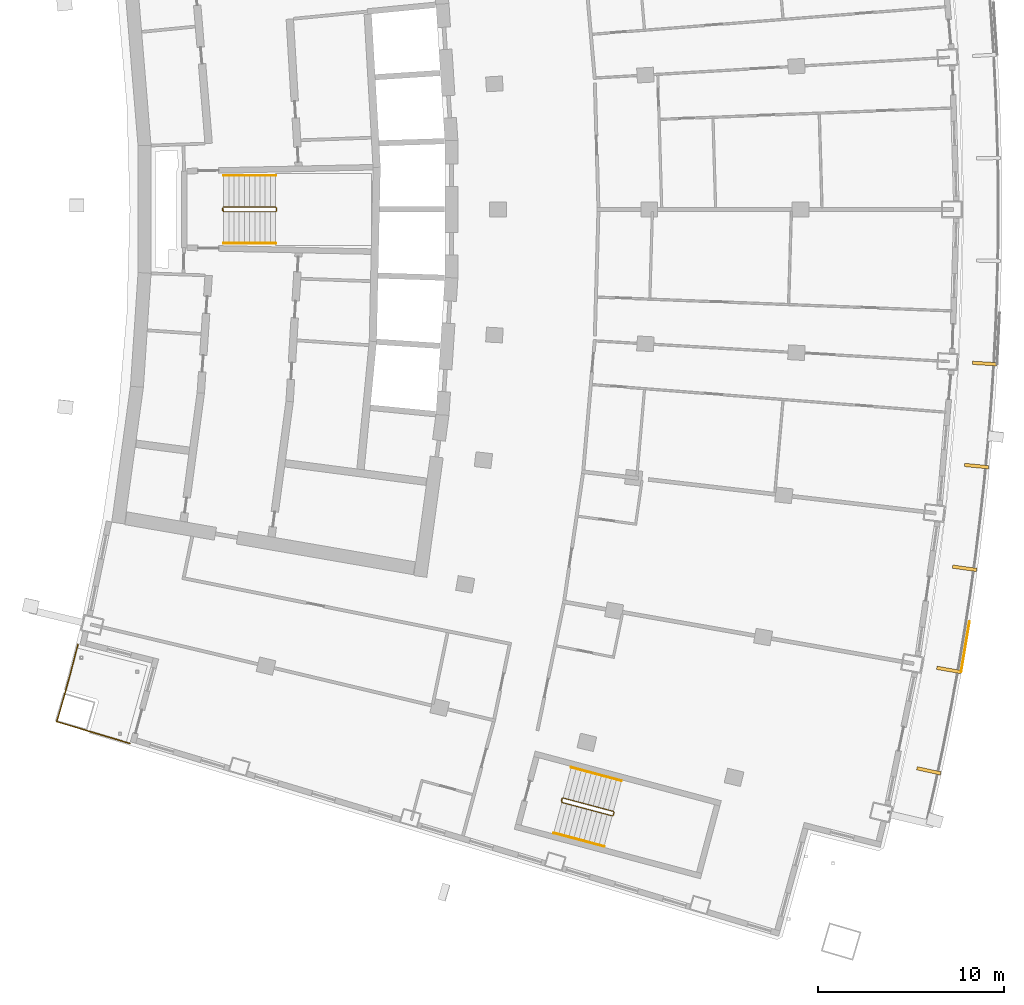
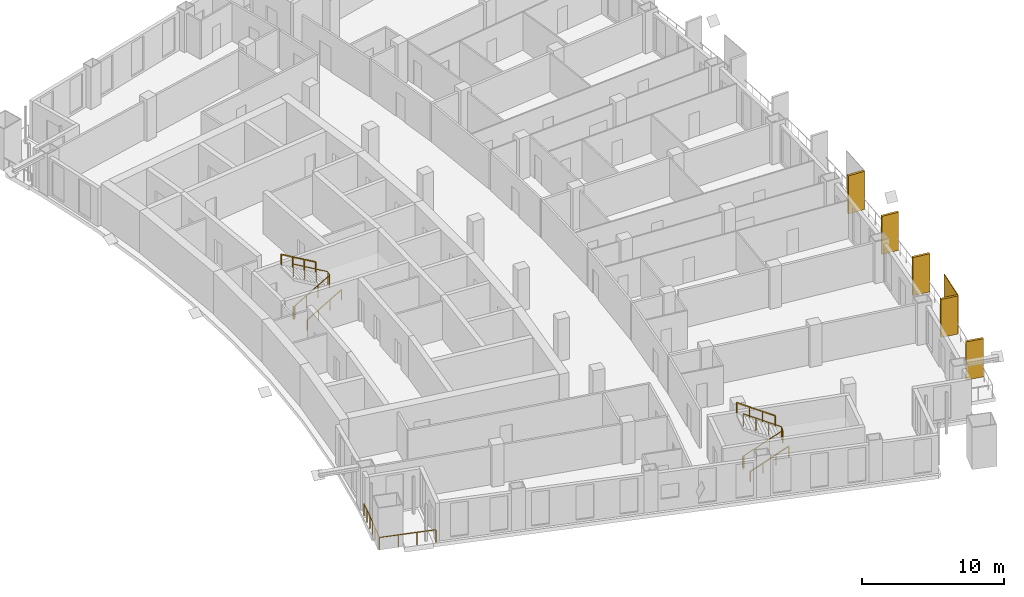
# One storey, part 19 of 21: 7 railings, 6 shading devices.
"""IFC4 building model written with IfcOpenShell, lengths in metres."""

from ifc_helpers import new_model, si_unit, direction, frame, origin, origin_with_axes, origin_2d, place, context, subcontext, project, spatial, rectangle, extrude, material, layer, layer_set, type_object, element, save


model = new_model("IFC4")

# Units and contexts
model_context = context("Model", 3, precision=1e-05, world=origin(), true_north=direction((0.0, 1.0)))
body_context = subcontext(model_context, "Body", "Model", "MODEL_VIEW")
ifc_project = project(units=[si_unit("LENGTHUNIT", "METRE"), si_unit("AREAUNIT", "SQUARE_METRE"), si_unit("VOLUMEUNIT", "CUBIC_METRE"), si_unit("PLANEANGLEUNIT", "RADIAN"), si_unit("MASSUNIT", "GRAM", prefix="KILO")], contexts=[model_context])

# Site, building, storey
site_placement = place(None, origin())
site = spatial("IfcSite", under=ifc_project, at=site_placement, CompositionType="ELEMENT")
building_placement = place(site_placement, origin())
building = spatial("IfcBuilding", under=site, at=building_placement, Name="Alderwake Tower", CompositionType="ELEMENT")
storey_placement = place(building_placement, frame((0.0, 0.0, 146.0)))
storey = spatial("IfcBuildingStorey", under=building, at=storey_placement, Name="L35", CompositionType="ELEMENT", Elevation=146.0)

# Railing
ifc_material_1 = material(Name="Stainless steel 316 rail and posts", Category="steel")
railing_type_1 = type_object("IfcRailingType", Name="Balcony guard 1100", PredefinedType="GUARDRAIL", material=ifc_material_1)
railing_1_placement = place(storey_placement, frame((13.210693359375, 37.612548828125, 0.0)))
element("IfcRailing", 1, at=railing_1_placement, inside=storey, type_object=railing_type_1, Name="Guard terrace RS", PredefinedType="GUARDRAIL", context=body_context, shape_type="SweptSolid", body=[
    extrude(rectangle(XDim=0.048095703125, YDim=0.048095703125, at=origin_2d()), frame((0.0, 0.0, 1.076171875), z_axis=(-0.251385381433, -0.967887075026, 0.0), x_axis=(0.967887075026, -0.251385381433, 0.0)), (0.0, 0.0, 1.0), 1.6015625),
    extrude(rectangle(XDim=0.048095703125, YDim=0.048095703125, at=origin_2d()), frame((-0.402587890625, -1.550048828125, 1.076171875), z_axis=(-0.266520638672, -0.963829211615, 0.0), x_axis=(0.963829211615, -0.266520638672, 0.0)), (0.0, 0.0, 1.0), 1.401611328125),
    extrude(rectangle(XDim=0.048095703125, YDim=0.048095703125, at=origin_2d()), frame((-0.776123046875, -2.90087890625, 1.076171875), z_axis=(-0.280093650878, -0.959972680204, 0.0), x_axis=(0.959972680204, -0.280093650878, 0.0)), (0.0, 0.0, 1.0), 1.30126953125),
    extrude(rectangle(XDim=0.048095703125, YDim=0.048095703125, at=origin_2d()), frame((-1.140625, -4.150146484375, 1.076171875), z_axis=(0.958066871889, -0.286544706789, 0.0), x_axis=(0.286544706789, 0.958066871889, 0.0)), (0.0, 0.0, 1.0), 4.099853515625),
    extrude(rectangle(XDim=0.0419921875, YDim=0.0419921875, at=origin_2d()), frame((0.0, 0.0, 0.0), z_axis=(0.0, 0.0, 1.0), x_axis=(-0.251385381433, -0.967887075026, 0.0)), (0.0, 0.0, 1.0), 1.052001953125),
    extrude(rectangle(XDim=0.0419921875, YDim=0.0419921875, at=origin_2d()), frame((-0.201171875, -0.77490234375, 0.0), z_axis=(0.0, 0.0, 1.0), x_axis=(-0.251385381433, -0.967887075026, 0.0)), (0.0, 0.0, 1.0), 1.052001953125),
    extrude(rectangle(XDim=0.0419921875, YDim=0.0419921875, at=origin_2d()), frame((-0.402587890625, -1.550048828125, 0.0), z_axis=(0.0, 0.0, 1.0), x_axis=(-0.266520638672, -0.963829211615, 0.0)), (0.0, 0.0, 1.0), 1.052001953125),
    extrude(rectangle(XDim=0.0419921875, YDim=0.0419921875, at=origin_2d()), frame((-0.58935546875, -2.2255859375, 0.0), z_axis=(0.0, 0.0, 1.0), x_axis=(-0.266520638672, -0.963829211615, 0.0)), (0.0, 0.0, 1.0), 1.052001953125),
    extrude(rectangle(XDim=0.0419921875, YDim=0.0419921875, at=origin_2d()), frame((-0.776123046875, -2.90087890625, 0.0), z_axis=(0.0, 0.0, 1.0), x_axis=(-0.280093650878, -0.959972680204, 0.0)), (0.0, 0.0, 1.0), 1.052001953125),
    extrude(rectangle(XDim=0.0419921875, YDim=0.0419921875, at=origin_2d()), frame((-1.140625, -4.150146484375, 0.0), z_axis=(0.0, 0.0, 1.0), x_axis=(0.958066871889, -0.286544706789, 0.0)), (0.0, 0.0, 1.0), 1.052001953125),
    extrude(rectangle(XDim=0.0419921875, YDim=0.0419921875, at=origin_2d()), frame((0.168701171875, -4.541748046875, 0.0), z_axis=(0.0, 0.0, 1.0), x_axis=(0.958066871889, -0.286544706789, 0.0)), (0.0, 0.0, 1.0), 1.052001953125),
    extrude(rectangle(XDim=0.0419921875, YDim=0.0419921875, at=origin_2d()), frame((1.47802734375, -4.933349609375, 0.0), z_axis=(0.0, 0.0, 1.0), x_axis=(0.958066871889, -0.286544706789, 0.0)), (0.0, 0.0, 1.0), 1.052001953125),
    extrude(rectangle(XDim=0.0419921875, YDim=0.0419921875, at=origin_2d()), frame((2.787353515625, -5.324951171875, 0.0), z_axis=(0.0, 0.0, 1.0), x_axis=(0.958066871889, -0.286544706789, 0.0)), (0.0, 0.0, 1.0), 1.052001953125),
])

# Shading devices
ifc_material_2 = material(Name="Bronze anodised aluminium", Category="aluminium")
ifc_layer_1 = layer(ifc_material_2, 0.179931640625)
ifc_layer_set_1 = layer_set([ifc_layer_1], Name="Facade fin 1300")
shading_device_type_1 = type_object("IfcShadingDeviceType", Name="Facade fin 1300", PredefinedType="USERDEFINED", material=ifc_layer_set_1)
for number, where, z_axis, x_axis, name in (
    (2, (58.959228515625, 30.814697265625, 0.0), (0.0, 0.0, 1.0), (0.977210363881, -0.212273184185, 0.0), "Fin"),
    (3, (60.028076171875, 36.24169921875, 0.0), (0.0, 0.0, 1.0), (0.984726421654, -0.174108800747, 0.0), "Fin"),
    (4, (60.885009765625, 41.706298828125, 0.0), (0.0, 0.0, 1.0), (0.990752577235, -0.135680988728, 0.0), "Fin"),
    (5, (61.52880859375, 47.199951171875, 0.0), (0.0, 0.0, 1.0), (0.995279882363, -0.097046152751, 0.0), "Fin"),
    (6, (61.95849609375, 52.71435546875, 0.0), (0.0, 0.0, 1.0), (0.998301080988, -0.058266214038, 0.0), "Fin"),
):
    element("IfcShadingDevice", number, at=place(storey_placement, frame(where, z_axis=z_axis, x_axis=x_axis)), inside=storey, type_object=shading_device_type_1, Name=name, ObjectType="FIN", PredefinedType="USERDEFINED", context=body_context, shape_type="SweptSolid", body=[
        extrude(rectangle(XDim=1.300048828125, YDim=0.179931640625, at=origin_2d()), origin(), (0.0, 0.0, 1.0), 3.280029296875),
    ])
ifc_material_3 = material(Name="Perforated bronze anodised aluminium", Category="aluminium")
ifc_layer_2 = layer(ifc_material_3, 0.050048828125)
ifc_layer_set_2 = layer_set([ifc_layer_2], Name="Perforated screen panel")
shading_device_type_2 = type_object("IfcShadingDeviceType", Name="Perforated screen panel", PredefinedType="USERDEFINED", material=ifc_layer_set_2)
shading_device_placement = place(storey_placement, frame((60.9208984375, 37.4912109375, 0.0), z_axis=(0.0, 0.0, 1.0), x_axis=(0.986369013299, -0.164548380739, 0.0)))
element("IfcShadingDevice", 7, at=shading_device_placement, inside=storey, type_object=shading_device_type_2, Name="Screen panel", ObjectType="SCREEN", PredefinedType="USERDEFINED", context=body_context, shape_type="SweptSolid", body=[
    extrude(rectangle(XDim=0.050048828125, YDim=2.771728515625, at=origin_2d()), origin(), (0.0, 0.0, 1.0), 3.280029296875),
])

# Railings
ifc_material_4 = material(Name="Stainless steel guard", Category="steel")
railing_type_2 = type_object("IfcRailingType", Name="Stair guard 1100", PredefinedType="GUARDRAIL", material=ifc_material_4)
railing_2_placement = place(storey_placement, frame((20.989990234375, 60.925048828125, 0.0)))
element("IfcRailing", 8, at=railing_2_placement, inside=storey, type_object=railing_type_2, Name="L35 ST-B stair guard 1", PredefinedType="GUARDRAIL", context=body_context, shape_type="SweptSolid", body=[
    extrude(rectangle(XDim=0.048095703125, YDim=0.048095703125, at=origin_2d()), frame((0.0, 0.0, 1.076171875), z_axis=(0.0, 1.0, 0.0), x_axis=(-1.0, 0.0, 0.0)), (0.0, 0.0, 1.0), 0.14990234375),
    extrude(rectangle(XDim=0.048095703125, YDim=0.048095703125, at=origin_2d()), frame((0.0, 0.14990234375, 1.076171875), z_axis=(0.190199549216, -0.759870394187, 0.621627795), x_axis=(0.970072785993, 0.242814311512, 0.0)), (0.0, 0.0, 1.0), 0.26318359375),
    extrude(rectangle(XDim=0.048095703125, YDim=0.048095703125, at=origin_2d()), frame((0.050048828125, -0.050048828125, 1.23974609375), z_axis=(0.863360870873, 0.0, 0.504586966384), x_axis=(0.0, 1.0, 0.0)), (0.0, 0.0, 1.0), 3.2431640625),
    extrude(rectangle(XDim=0.048095703125, YDim=0.048095703125, at=origin_2d()), frame((2.85009765625, -0.050048828125, 2.8759765625), z_axis=(0.705375805398, 0.708833529934, 0.0), x_axis=(-0.708833529934, 0.705375805398, 0.0)), (0.0, 0.0, 1.0), 0.070556640625),
    extrude(rectangle(XDim=0.048095703125, YDim=0.048095703125, at=origin_2d()), frame((2.89990234375, 0.0, 2.8759765625), z_axis=(0.0, 1.0, 0.0), x_axis=(-1.0, 0.0, 0.0)), (0.0, 0.0, 1.0), 0.14990234375),
    extrude(rectangle(XDim=0.048095703125, YDim=0.048095703125, at=origin_2d()), frame((2.89990234375, 0.14990234375, 2.8759765625), z_axis=(-0.279546231943, 0.280916556609, 0.91811752648), x_axis=(-0.708833529934, -0.705375805398, 0.0)), (0.0, 0.0, 1.0), 0.17822265625),
    extrude(rectangle(XDim=0.048095703125, YDim=0.048095703125, at=origin_2d()), frame((2.85009765625, 0.199951171875, 3.03955078125), z_axis=(-0.863360870873, 0.0, 0.504586966384), x_axis=(0.0, -1.0, 0.0)), (0.0, 0.0, 1.0), 3.2431640625),
    extrude(rectangle(XDim=0.0419921875, YDim=0.0419921875, at=origin_2d()), frame((0.0, 0.0, 0.0), z_axis=(0.0, 0.0, 1.0), x_axis=(0.0, 1.0, 0.0)), (0.0, 0.0, 1.0), 1.052001953125),
    extrude(rectangle(XDim=0.0419921875, YDim=0.0419921875, at=origin_2d()), frame((0.0, 0.14990234375, 0.0), z_axis=(0.0, 0.0, 1.0), x_axis=(0.242814311512, -0.970072785993, 0.0)), (0.0, 0.0, 1.0), 1.052001953125),
    extrude(rectangle(XDim=0.0419921875, YDim=0.0419921875, at=origin_2d()), frame((0.050048828125, -0.050048828125, 0.16357421875), z_axis=(0.0, 0.0, 1.0), x_axis=(1.0, 0.0, 0.0)), (0.0, 0.0, 1.0), 1.052001953125),
    extrude(rectangle(XDim=0.0419921875, YDim=0.0419921875, at=origin_2d()), frame((0.9833984375, -0.050048828125, 0.708984375), z_axis=(0.0, 0.0, 1.0), x_axis=(1.0, 0.0, 0.0)), (0.0, 0.0, 1.0), 1.052001953125),
    extrude(rectangle(XDim=0.0419921875, YDim=0.0419921875, at=origin_2d()), frame((1.916748046875, -0.050048828125, 1.254638671875), z_axis=(0.0, 0.0, 1.0), x_axis=(1.0, 0.0, 0.0)), (0.0, 0.0, 1.0), 1.052001953125),
    extrude(rectangle(XDim=0.0419921875, YDim=0.0419921875, at=origin_2d()), frame((2.85009765625, -0.050048828125, 1.800048828125), z_axis=(0.0, 0.0, 1.0), x_axis=(0.705375805398, 0.708833529934, 0.0)), (0.0, 0.0, 1.0), 1.052001953125),
    extrude(rectangle(XDim=0.0419921875, YDim=0.0419921875, at=origin_2d()), frame((2.89990234375, 0.0, 1.800048828125), z_axis=(0.0, 0.0, 1.0), x_axis=(0.0, 1.0, 0.0)), (0.0, 0.0, 1.0), 1.052001953125),
    extrude(rectangle(XDim=0.0419921875, YDim=0.0419921875, at=origin_2d()), frame((2.89990234375, 0.14990234375, 1.800048828125), z_axis=(0.0, 0.0, 1.0), x_axis=(-0.705375805398, 0.708833529934, 0.0)), (0.0, 0.0, 1.0), 1.052001953125),
    extrude(rectangle(XDim=0.0419921875, YDim=0.0419921875, at=origin_2d()), frame((2.85009765625, 0.199951171875, 1.963623046875), z_axis=(0.0, 0.0, 1.0), x_axis=(-1.0, 0.0, 0.0)), (0.0, 0.0, 1.0), 1.052001953125),
    extrude(rectangle(XDim=0.0419921875, YDim=0.0419921875, at=origin_2d()), frame((1.916748046875, 0.199951171875, 2.509033203125), z_axis=(0.0, 0.0, 1.0), x_axis=(-1.0, 0.0, 0.0)), (0.0, 0.0, 1.0), 1.052001953125),
    extrude(rectangle(XDim=0.0419921875, YDim=0.0419921875, at=origin_2d()), frame((0.9833984375, 0.199951171875, 3.0546875), z_axis=(0.0, 0.0, 1.0), x_axis=(-1.0, 0.0, 0.0)), (0.0, 0.0, 1.0), 1.052001953125),
    extrude(rectangle(XDim=0.0419921875, YDim=0.0419921875, at=origin_2d()), frame((0.050048828125, 0.199951171875, 3.60009765625), z_axis=(0.0, 0.0, 1.0), x_axis=(-1.0, 0.0, 0.0)), (0.0, 0.0, 1.0), 1.052001953125),
])
railing_3_placement = place(storey_placement, frame((39.1943359375, 29.17431640625, 0.0)))
element("IfcRailing", 9, at=railing_3_placement, inside=storey, type_object=railing_type_2, Name="L35 ST-C stair guard 1", PredefinedType="GUARDRAIL", context=body_context, shape_type="SweptSolid", body=[
    extrude(rectangle(XDim=0.048095703125, YDim=0.048095703125, at=origin_2d()), frame((0.0, 0.0, 1.076171875), z_axis=(0.257459803502, 0.966289009345, 0.0), x_axis=(-0.966289009345, 0.257459803502, 0.0)), (0.0, 0.0, 1.0), 0.14990234375),
    extrude(rectangle(XDim=0.048095703125, YDim=0.048095703125, at=origin_2d()), frame((0.03857421875, 0.144775390625, 1.076171875), z_axis=(-0.012062893862, -0.783160186125, 0.621702991355), x_axis=(0.999881397308, -0.015401016783, 0.0)), (0.0, 0.0, 1.0), 0.26318359375),
    extrude(rectangle(XDim=0.048095703125, YDim=0.048095703125, at=origin_2d()), frame((0.035400390625, -0.061279296875, 1.23974609375), z_axis=(0.834281824786, -0.222214197128, 0.504573768072), x_axis=(0.257380452725, 0.966310148221, 0.0)), (0.0, 0.0, 1.0), 3.2431640625),
    extrude(rectangle(XDim=0.048095703125, YDim=0.048095703125, at=origin_2d()), frame((2.7412109375, -0.781982421875, 2.8759765625), z_axis=(0.865031189262, 0.501718089772, 0.0), x_axis=(-0.501718089772, 0.865031189262, 0.0)), (0.0, 0.0, 1.0), 0.070556640625),
    extrude(rectangle(XDim=0.048095703125, YDim=0.048095703125, at=origin_2d()), frame((2.80224609375, -0.74658203125, 2.8759765625), z_axis=(0.257055032184, 0.966396766566, 0.0), x_axis=(-0.966396766566, 0.257055032184, 0.0)), (0.0, 0.0, 1.0), 0.150146484375),
    extrude(rectangle(XDim=0.048095703125, YDim=0.048095703125, at=origin_2d()), frame((2.8408203125, -0.6015625, 2.8759765625), z_axis=(-0.198625291617, 0.343827228937, 0.91778583023), x_axis=(-0.865898279276, -0.500220121494, 0.0)), (0.0, 0.0, 1.0), 0.17822265625),
    extrude(rectangle(XDim=0.048095703125, YDim=0.048095703125, at=origin_2d()), frame((2.805419921875, -0.540283203125, 3.03955078125), z_axis=(-0.834258940753, 0.22222815314, 0.504605457487), x_axis=(-0.257402139082, -0.966304371715, 0.0)), (0.0, 0.0, 1.0), 3.2431640625),
    extrude(rectangle(XDim=0.0419921875, YDim=0.0419921875, at=origin_2d()), frame((0.0, 0.0, 0.0), z_axis=(0.0, 0.0, 1.0), x_axis=(0.257459803502, 0.966289009345, 0.0)), (0.0, 0.0, 1.0), 1.052001953125),
    extrude(rectangle(XDim=0.0419921875, YDim=0.0419921875, at=origin_2d()), frame((0.03857421875, 0.144775390625, 0.0), z_axis=(0.0, 0.0, 1.0), x_axis=(-0.015401016783, -0.999881397308, 0.0)), (0.0, 0.0, 1.0), 1.052001953125),
    extrude(rectangle(XDim=0.0419921875, YDim=0.0419921875, at=origin_2d()), frame((0.035400390625, -0.061279296875, 0.16357421875), z_axis=(0.0, 0.0, 1.0), x_axis=(0.966310148221, -0.257380452725, 0.0)), (0.0, 0.0, 1.0), 1.052001953125),
    extrude(rectangle(XDim=0.0419921875, YDim=0.0419921875, at=origin_2d()), frame((0.937255859375, -0.301513671875, 0.708984375), z_axis=(0.0, 0.0, 1.0), x_axis=(0.966310148221, -0.257380452725, 0.0)), (0.0, 0.0, 1.0), 1.052001953125),
    extrude(rectangle(XDim=0.0419921875, YDim=0.0419921875, at=origin_2d()), frame((1.83935546875, -0.541748046875, 1.254638671875), z_axis=(0.0, 0.0, 1.0), x_axis=(0.966310148221, -0.257380452725, 0.0)), (0.0, 0.0, 1.0), 1.052001953125),
    extrude(rectangle(XDim=0.0419921875, YDim=0.0419921875, at=origin_2d()), frame((2.7412109375, -0.781982421875, 1.800048828125), z_axis=(0.0, 0.0, 1.0), x_axis=(0.865031189262, 0.501718089772, 0.0)), (0.0, 0.0, 1.0), 1.052001953125),
    extrude(rectangle(XDim=0.0419921875, YDim=0.0419921875, at=origin_2d()), frame((2.80224609375, -0.74658203125, 1.800048828125), z_axis=(0.0, 0.0, 1.0), x_axis=(0.257055032184, 0.966396766566, 0.0)), (0.0, 0.0, 1.0), 1.052001953125),
    extrude(rectangle(XDim=0.0419921875, YDim=0.0419921875, at=origin_2d()), frame((2.8408203125, -0.6015625, 1.800048828125), z_axis=(0.0, 0.0, 1.0), x_axis=(-0.500220121494, 0.865898279276, 0.0)), (0.0, 0.0, 1.0), 1.052001953125),
    extrude(rectangle(XDim=0.0419921875, YDim=0.0419921875, at=origin_2d()), frame((2.805419921875, -0.540283203125, 1.963623046875), z_axis=(0.0, 0.0, 1.0), x_axis=(-0.966304371715, 0.257402139082, 0.0)), (0.0, 0.0, 1.0), 1.052001953125),
    extrude(rectangle(XDim=0.0419921875, YDim=0.0419921875, at=origin_2d()), frame((1.903564453125, -0.300048828125, 2.509033203125), z_axis=(0.0, 0.0, 1.0), x_axis=(-0.966304371715, 0.257402139082, 0.0)), (0.0, 0.0, 1.0), 1.052001953125),
    extrude(rectangle(XDim=0.0419921875, YDim=0.0419921875, at=origin_2d()), frame((1.001708984375, -0.059814453125, 3.0546875), z_axis=(0.0, 0.0, 1.0), x_axis=(-0.966304371715, 0.257402139082, 0.0)), (0.0, 0.0, 1.0), 1.052001953125),
    extrude(rectangle(XDim=0.0419921875, YDim=0.0419921875, at=origin_2d()), frame((0.099853515625, 0.180419921875, 3.60009765625), z_axis=(0.0, 0.0, 1.0), x_axis=(-0.966304371715, 0.257402139082, 0.0)), (0.0, 0.0, 1.0), 1.052001953125),
])
ifc_material_5 = material(Name="Stainless steel handrail", Category="steel")
railing_type_3 = type_object("IfcRailingType", Name="Stair handrail 900", PredefinedType="HANDRAIL", material=ifc_material_5)
railing_4_placement = place(storey_placement, frame((21.0400390625, 59.175048828125, 0.16357421875)))
element("IfcRailing", 10, at=railing_4_placement, inside=storey, type_object=railing_type_3, Name="L35 ST-B stair handrail 1", PredefinedType="HANDRAIL", context=body_context, shape_type="SweptSolid", body=[
    extrude(rectangle(XDim=0.048095703125, YDim=0.048095703125, at=origin_2d()), frame((0.0, 0.0, 0.8759765625), z_axis=(0.863360870873, 0.0, 0.504586966384), x_axis=(0.0, 1.0, 0.0)), (0.0, 0.0, 1.0), 3.2431640625),
    extrude(rectangle(XDim=0.0419921875, YDim=0.0419921875, at=origin_2d()), origin_with_axes(), (0.0, 0.0, 1.0), 0.851806640625),
    extrude(rectangle(XDim=0.0419921875, YDim=0.0419921875, at=origin_2d()), frame((0.933349609375, 0.0, 0.54541015625), z_axis=(0.0, 0.0, 1.0), x_axis=(1.0, 0.0, 0.0)), (0.0, 0.0, 1.0), 0.851806640625),
    extrude(rectangle(XDim=0.0419921875, YDim=0.0419921875, at=origin_2d()), frame((1.86669921875, 0.0, 1.091064453125), z_axis=(0.0, 0.0, 1.0), x_axis=(1.0, 0.0, 0.0)), (0.0, 0.0, 1.0), 0.851806640625),
    extrude(rectangle(XDim=0.0419921875, YDim=0.0419921875, at=origin_2d()), frame((2.800048828125, 0.0, 1.636474609375), z_axis=(0.0, 0.0, 1.0), x_axis=(1.0, 0.0, 0.0)), (0.0, 0.0, 1.0), 0.851806640625),
])
railing_5_placement = place(storey_placement, frame((23.840087890625, 62.824951171875, 1.963623046875)))
element("IfcRailing", 11, at=railing_5_placement, inside=storey, type_object=railing_type_3, Name="L35 ST-B stair handrail 2", PredefinedType="HANDRAIL", context=body_context, shape_type="SweptSolid", body=[
    extrude(rectangle(XDim=0.048095703125, YDim=0.048095703125, at=origin_2d()), frame((0.0, 0.0, 0.8759765625), z_axis=(-0.863360870873, 0.0, 0.504586966384), x_axis=(0.0, -1.0, 0.0)), (0.0, 0.0, 1.0), 3.2431640625),
    extrude(rectangle(XDim=0.0419921875, YDim=0.0419921875, at=origin_2d()), frame((0.0, 0.0, 0.0), z_axis=(0.0, 0.0, 1.0), x_axis=(-1.0, 0.0, 0.0)), (0.0, 0.0, 1.0), 0.851806640625),
    extrude(rectangle(XDim=0.0419921875, YDim=0.0419921875, at=origin_2d()), frame((-0.933349609375, 0.0, 0.54541015625), z_axis=(0.0, 0.0, 1.0), x_axis=(-1.0, 0.0, 0.0)), (0.0, 0.0, 1.0), 0.851806640625),
    extrude(rectangle(XDim=0.0419921875, YDim=0.0419921875, at=origin_2d()), frame((-1.86669921875, 0.0, 1.091064453125), z_axis=(0.0, 0.0, 1.0), x_axis=(-1.0, 0.0, 0.0)), (0.0, 0.0, 1.0), 0.851806640625),
    extrude(rectangle(XDim=0.0419921875, YDim=0.0419921875, at=origin_2d()), frame((-2.800048828125, 0.0, 1.636474609375), z_axis=(0.0, 0.0, 1.0), x_axis=(-1.0, 0.0, 0.0)), (0.0, 0.0, 1.0), 0.851806640625),
])
railing_6_placement = place(storey_placement, frame((38.792236328125, 27.47021484375, 0.16357421875)))
element("IfcRailing", 12, at=railing_6_placement, inside=storey, type_object=railing_type_3, Name="L35 ST-C stair handrail 1", PredefinedType="HANDRAIL", context=body_context, shape_type="SweptSolid", body=[
    extrude(rectangle(XDim=0.048095703125, YDim=0.048095703125, at=origin_2d()), frame((0.0, 0.0, 0.8759765625), z_axis=(0.834272895437, -0.222156588561, 0.504613898043), x_axis=(0.25732071773, 0.966326056891, 0.0)), (0.0, 0.0, 1.0), 3.242919921875),
    extrude(rectangle(XDim=0.0419921875, YDim=0.0419921875, at=origin_2d()), frame((0.0, 0.0, 0.0), z_axis=(0.0, 0.0, 1.0), x_axis=(0.966326056891, -0.25732071773, 0.0)), (0.0, 0.0, 1.0), 0.851806640625),
    extrude(rectangle(XDim=0.0419921875, YDim=0.0419921875, at=origin_2d()), frame((0.90185546875, -0.240234375, 0.54541015625), z_axis=(0.0, 0.0, 1.0), x_axis=(0.966326056891, -0.25732071773, 0.0)), (0.0, 0.0, 1.0), 0.851806640625),
    extrude(rectangle(XDim=0.0419921875, YDim=0.0419921875, at=origin_2d()), frame((1.8037109375, -0.480224609375, 1.091064453125), z_axis=(0.0, 0.0, 1.0), x_axis=(0.966326056891, -0.25732071773, 0.0)), (0.0, 0.0, 1.0), 0.851806640625),
    extrude(rectangle(XDim=0.0419921875, YDim=0.0419921875, at=origin_2d()), frame((2.70556640625, -0.720458984375, 1.636474609375), z_axis=(0.0, 0.0, 1.0), x_axis=(0.966326056891, -0.25732071773, 0.0)), (0.0, 0.0, 1.0), 0.851806640625),
])
railing_7_placement = place(storey_placement, frame((42.437255859375, 30.276611328125, 1.963623046875)))
element("IfcRailing", 13, at=railing_7_placement, inside=storey, type_object=railing_type_3, Name="L35 ST-C stair handrail 2", PredefinedType="HANDRAIL", context=body_context, shape_type="SweptSolid", body=[
    extrude(rectangle(XDim=0.048095703125, YDim=0.048095703125, at=origin_2d()), frame((0.0, 0.0, 0.8759765625), z_axis=(-0.834258940753, 0.22222815314, 0.504605457487), x_axis=(-0.257402139082, -0.966304371715, 0.0)), (0.0, 0.0, 1.0), 3.2431640625),
    extrude(rectangle(XDim=0.0419921875, YDim=0.0419921875, at=origin_2d()), frame((0.0, 0.0, 0.0), z_axis=(0.0, 0.0, 1.0), x_axis=(-0.966304371715, 0.257402139082, 0.0)), (0.0, 0.0, 1.0), 0.851806640625),
    extrude(rectangle(XDim=0.0419921875, YDim=0.0419921875, at=origin_2d()), frame((-0.90185546875, 0.240234375, 0.54541015625), z_axis=(0.0, 0.0, 1.0), x_axis=(-0.966304371715, 0.257402139082, 0.0)), (0.0, 0.0, 1.0), 0.851806640625),
    extrude(rectangle(XDim=0.0419921875, YDim=0.0419921875, at=origin_2d()), frame((-1.8037109375, 0.48046875, 1.091064453125), z_axis=(0.0, 0.0, 1.0), x_axis=(-0.966304371715, 0.257402139082, 0.0)), (0.0, 0.0, 1.0), 0.851806640625),
    extrude(rectangle(XDim=0.0419921875, YDim=0.0419921875, at=origin_2d()), frame((-2.70556640625, 0.720703125, 1.636474609375), z_axis=(0.0, 0.0, 1.0), x_axis=(-0.966304371715, 0.257402139082, 0.0)), (0.0, 0.0, 1.0), 0.851806640625),
])

save(model, "model.ifc")
